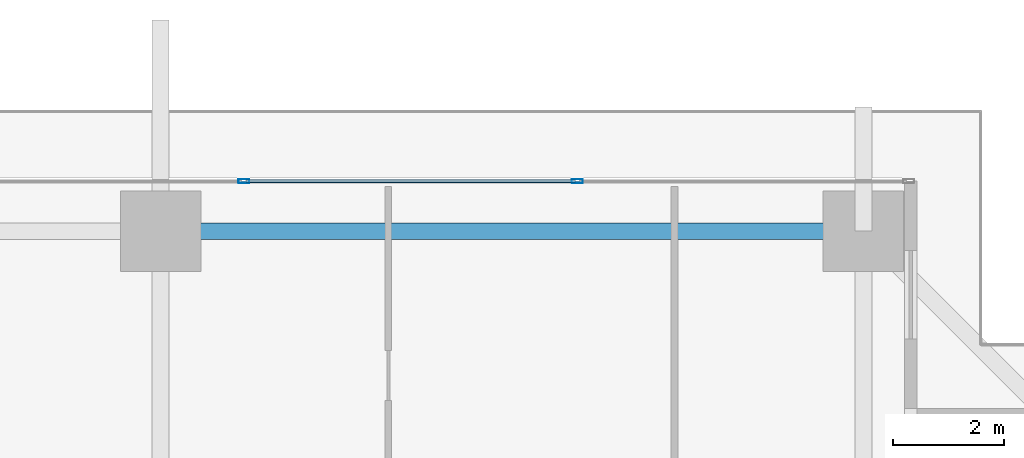
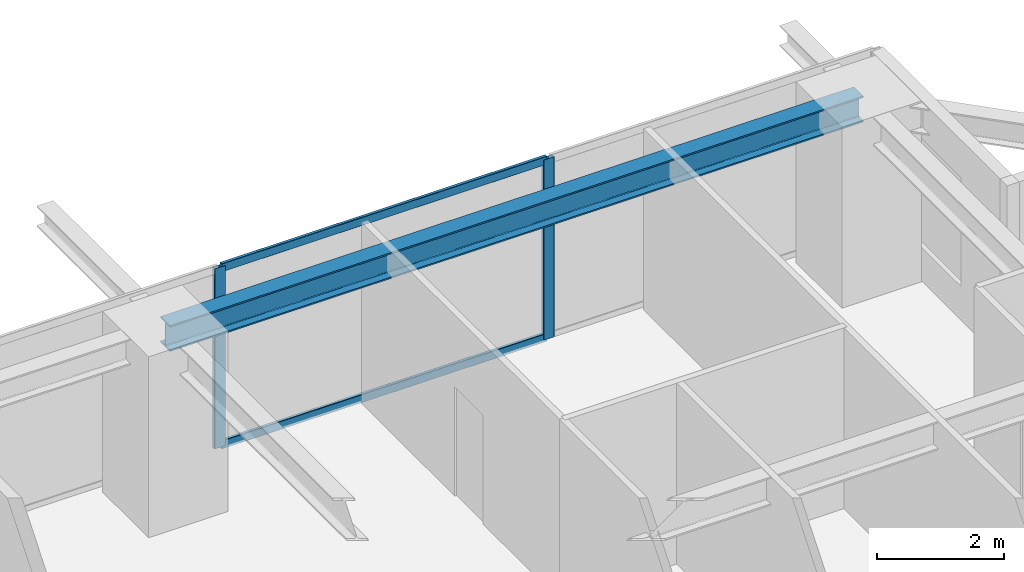
# One storey, part 24 of 39: 4 members, 1 beam, 1 element without a shape of its own.
"""IFC4 building model written with IfcOpenShell, lengths in metres."""

from ifc_helpers import new_model, si_unit, direction, frame, origin, origin_2d, place, context, subcontext, project, spatial, hollow_rectangle, i_section, extrude, source, transform, mapped, material, layer, layer_set, material_profile, profile_set, type_object, element, aggregate, save


model = new_model("IFC4")

# Units and contexts
model_context = context("Model", 3, precision=1e-05, world=origin(), true_north=direction((0.0, 1.0)))
body_context = subcontext(model_context, "Body", "Model", "MODEL_VIEW")
ifc_project = project(units=[si_unit("LENGTHUNIT", "METRE"), si_unit("AREAUNIT", "SQUARE_METRE"), si_unit("VOLUMEUNIT", "CUBIC_METRE"), si_unit("PLANEANGLEUNIT", "RADIAN"), si_unit("MASSUNIT", "GRAM", prefix="KILO")], contexts=[model_context])

# Site, building, storey
site_placement = place(None, origin())
site = spatial("IfcSite", under=ifc_project, at=site_placement, CompositionType="ELEMENT")
building_placement = place(site_placement, origin())
building = spatial("IfcBuilding", under=site, at=building_placement, Name="Serunith Strait Residences", CompositionType="ELEMENT")
storey_placement = place(building_placement, frame((0.0, 0.0, 94.199951171875)))
storey = spatial("IfcBuildingStorey", under=building, at=storey_placement, Name="L23", CompositionType="ELEMENT", Elevation=94.199951171875)

# Beam
ifc_material_1 = material(Name="Steel S355J2", Category="steel")
ifc_material_profile_1 = material_profile(ifc_material_1, i_section(OverallWidth=0.300048828125, OverallDepth=0.5, WebThickness=0.014404296875, FlangeThickness=0.028076171875, FilletRadius=0.027099609375, at=origin_2d()), Name="HEB 500")
ifc_profile_set_1 = profile_set([ifc_material_profile_1], Name="Steel S355J2")
beam_type = type_object("IfcBeamType", Name="BM-HEB500", PredefinedType="BEAM", material=ifc_profile_set_1)
shared_shape_1 = source(origin(), body_context, "Body", "SweptSolid", [
    extrude(i_section(OverallWidth=0.300048828125, OverallDepth=0.5, WebThickness=0.014404296875, FlangeThickness=0.028076171875, FilletRadius=0.027099609375, at=origin_2d()), origin(), (0.0, 0.0, 1.0), 12.650146484375),
])
beam_placement = place(storey_placement, frame((49.550048828125, 49.300048828125, 3.237060546875), z_axis=(-1.0, 0.0, 0.0), x_axis=(0.0, -1.0, 0.0)))
element("IfcBeam", 1, at=beam_placement, inside=storey, type_object=beam_type, Name="L23 Perimeter Ring Beam 09", PredefinedType="BEAM", context=body_context, shape_type="MappedRepresentation", body=[
    mapped(shared_shape_1, transform((0.0, 0.0, 0.0), scale=1.0)),
])

# Curtain wall, members
ifc_material_2 = material(Name="Pale-Champagne Anodised Aluminium", Category="aluminium")
ifc_layer = layer(ifc_material_2, 0.199951171875, Name="Pale-Champagne Anodised Aluminium")
ifc_layer_set = layer_set([ifc_layer], Name="Pale-Champagne Anodised Aluminium")
curtain_wall_type = type_object("IfcCurtainWallType", Name="CW-SYS1", PredefinedType="NOTDEFINED", material=ifc_layer_set)
curtain_wall_placement = place(storey_placement, origin())
curtain_wall = element("IfcCurtainWall", 2, at=curtain_wall_placement, inside=storey, type_object=curtain_wall_type, Name="L23 N Unitised Fritted Curtain Wall", PredefinedType="NOTDEFINED")
ifc_material_profile_2 = material_profile(ifc_material_2, hollow_rectangle(XDim=0.070068359375, YDim=0.199951171875, WallThickness=0.00390625, InnerFilletRadius=0.006103515625, OuterFilletRadius=0.010009765625, at=origin_2d()), Name="ALU 200x70x4")
ifc_profile_set_2 = profile_set([ifc_material_profile_2], Name="Pale-Champagne Anodised Aluminium")
member_type_1 = type_object("IfcMemberType", Name="CW-SYS1-MULL", PredefinedType="MULLION", material=ifc_profile_set_2)
shared_shape_2 = source(origin(), body_context, "Body", "SweptSolid", [
    extrude(hollow_rectangle(XDim=0.070068359375, YDim=0.199951171875, WallThickness=0.00390625, InnerFilletRadius=0.006103515625, OuterFilletRadius=0.010009765625, at=origin_2d()), origin(), (0.0, 0.0, 1.0), 3.47509765625),
])
member_1_placement = place(storey_placement, frame((44.39990234375, 50.199951171875, 0.0), z_axis=(0.0, 0.0, 1.0), x_axis=(0.0, -1.0, 0.0)))
member_1 = element("IfcMember", 3, at=member_1_placement, type_object=member_type_1, Name="CW-1 mullion 2", PredefinedType="MULLION", context=body_context, shape_type="MappedRepresentation", body=[
    mapped(shared_shape_2, transform((0.0, 0.0, 0.0), scale=1.0)),
])
member_2_placement = place(storey_placement, frame((38.39990234375, 50.199951171875, 0.0), z_axis=(0.0, 0.0, 1.0), x_axis=(0.0, -1.0, 0.0)))
member_2 = element("IfcMember", 4, at=member_2_placement, type_object=member_type_1, Name="CW-1 mullion 3", PredefinedType="MULLION", context=body_context, shape_type="MappedRepresentation", body=[
    mapped(shared_shape_2, transform((0.0, 0.0, 0.0), scale=1.0)),
])
ifc_material_profile_3 = material_profile(ifc_material_2, hollow_rectangle(XDim=0.06005859375, YDim=0.159912109375, WallThickness=0.00341796875, InnerFilletRadius=0.00537109375, OuterFilletRadius=0.0087890625, at=origin_2d()), Name="ALU 160x60x3.5")
ifc_profile_set_3 = profile_set([ifc_material_profile_3], Name="Pale-Champagne Anodised Aluminium")
member_type_2 = type_object("IfcMemberType", Name="CW-SYS1-TRAN", PredefinedType="USERDEFINED", material=ifc_profile_set_3)
shared_shape_3 = source(origin(), body_context, "Body", "SweptSolid", [
    extrude(hollow_rectangle(XDim=0.06005859375, YDim=0.159912109375, WallThickness=0.00341796875, InnerFilletRadius=0.00537109375, OuterFilletRadius=0.0087890625, at=origin_2d()), origin(), (0.0, 0.0, 1.0), 5.929931640625),
])
member_3_placement = place(storey_placement, frame((44.364990234375, 50.199951171875, 0.030029296875), z_axis=(-1.0, 0.0, 0.0), x_axis=(0.0, -1.0, 0.0)))
member_3 = element("IfcMember", 5, at=member_3_placement, type_object=member_type_2, Name="CW-1 transom 2.1", ObjectType="TRANSOM", PredefinedType="USERDEFINED", context=body_context, shape_type="MappedRepresentation", body=[
    mapped(shared_shape_3, transform((0.0, 0.0, 0.0), scale=1.0)),
])
member_4_placement = place(storey_placement, frame((44.364990234375, 50.199951171875, 3.445068359375), z_axis=(-1.0, 0.0, 0.0), x_axis=(0.0, -1.0, 0.0)))
member_4 = element("IfcMember", 6, at=member_4_placement, type_object=member_type_2, Name="CW-1 transom 2.2", ObjectType="TRANSOM", PredefinedType="USERDEFINED", context=body_context, shape_type="MappedRepresentation", body=[
    mapped(shared_shape_3, transform((0.0, 0.0, 0.0), scale=1.0)),
])
aggregate(curtain_wall, [member_1, member_2, member_3, member_4])

save(model, "model.ifc")
